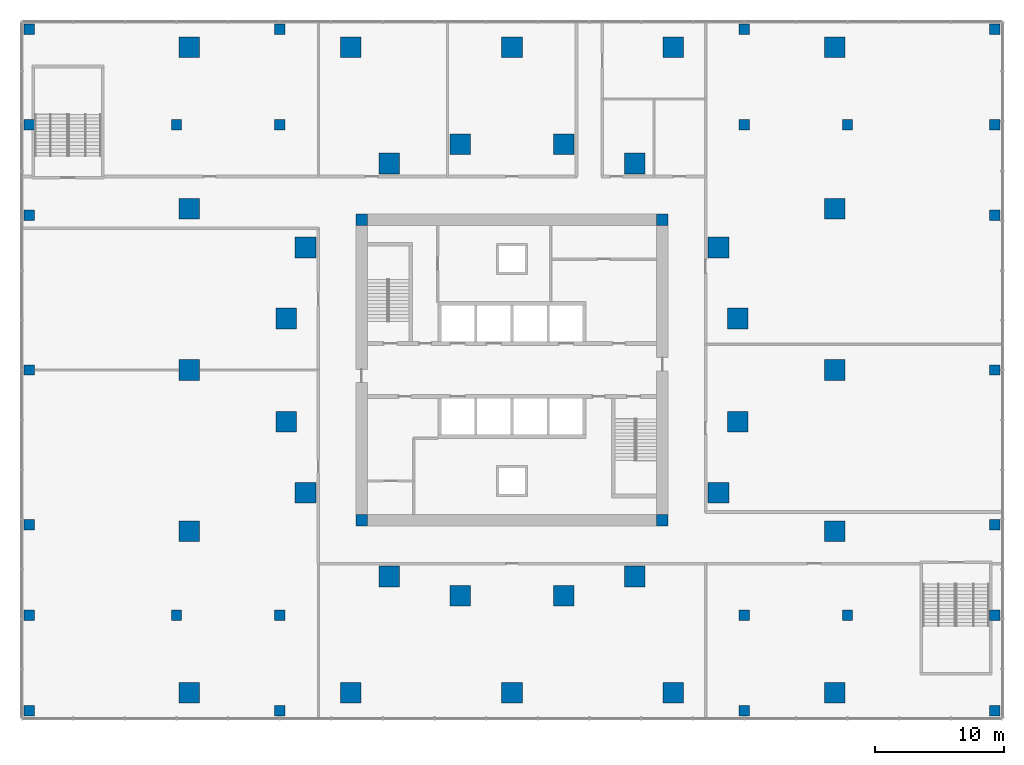
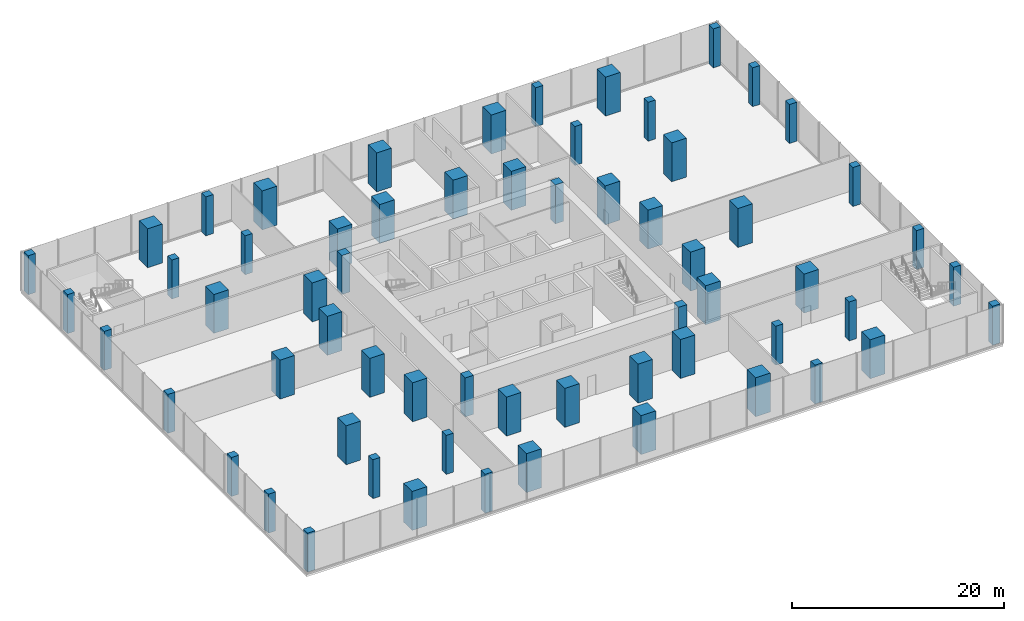
# One storey, part 1 of 15: 62 columns.
"""IFC4 building model written with IfcOpenShell, lengths in metres."""

from ifc_helpers import new_model, si_unit, direction, frame, origin, origin_2d, place, context, subcontext, project, spatial, rectangle, extrude, material, material_profile, profile_set, type_object, element, save


model = new_model("IFC4")

# Units and contexts
model_context = context("Model", 3, precision=1e-05, world=origin(), true_north=direction((0.0, 1.0)))
body_context = subcontext(model_context, "Body", "Model", "MODEL_VIEW")
ifc_project = project(units=[si_unit("LENGTHUNIT", "METRE"), si_unit("AREAUNIT", "SQUARE_METRE"), si_unit("VOLUMEUNIT", "CUBIC_METRE"), si_unit("PLANEANGLEUNIT", "RADIAN"), si_unit("MASSUNIT", "GRAM", prefix="KILO")], contexts=[model_context])

# Site, building, storey
site_placement = place(None, origin())
site = spatial("IfcSite", under=ifc_project, at=site_placement, CompositionType="ELEMENT")
building_placement = place(site_placement, origin())
building = spatial("IfcBuilding", under=site, at=building_placement, Name="Torsade Residences", CompositionType="ELEMENT")
storey_placement = place(building_placement, frame((0.0, 0.0, 6.0)))
storey = spatial("IfcBuildingStorey", under=building, at=storey_placement, Name="L01", CompositionType="ELEMENT", Elevation=6.0)

# Columns
ifc_material_1 = material(Name="Concrete 80 MPa", Category="concrete")
ifc_material_profile_1 = material_profile(ifc_material_1, rectangle(XDim=0.89990234375, YDim=0.89990234375, at=origin_2d()), Name="RC 900x900")
ifc_profile_set_1 = profile_set([ifc_material_profile_1], Name="Concrete 80 MPa")
column_type_1 = type_object("IfcColumnType", Name="CORE CORNER COLUMN RC 900x900", PredefinedType="COLUMN", material=ifc_profile_set_1)
for number, where, z_axis, x_axis, name in (
    (1, (28.35009765625, 18.35009765625, 0.0), (0.0, 0.0, 1.0), (1.0, 0.0, 0.0), "Core corner column CC1 L01"),
    (2, (51.64990234375, 18.35009765625, 0.0), (0.0, 0.0, 1.0), (1.0, 0.0, 0.0), "Core corner column CC2 L01"),
    (3, (51.64990234375, 41.64990234375, 0.0), (0.0, 0.0, 1.0), (1.0, 0.0, 0.0), "Core corner column CC3 L01"),
    (4, (28.35009765625, 41.64990234375, 0.0), (0.0, 0.0, 1.0), (1.0, 0.0, 0.0), "Core corner column CC4 L01"),
):
    element("IfcColumn", number, at=place(storey_placement, frame(where, z_axis=z_axis, x_axis=x_axis)), inside=storey, type_object=column_type_1, Name=name, PredefinedType="COLUMN", context=body_context, shape_type="SweptSolid", body=[
        extrude(rectangle(XDim=0.89990234375, YDim=0.89990234375, at=origin_2d()), origin(), (0.0, 0.0, 1.0), 4.5),
    ])
ifc_material_2 = material(Name="Concrete 80 MPa", Category="concrete")
ifc_material_profile_2 = material_profile(ifc_material_2, rectangle(XDim=1.60009765625, YDim=1.60009765625, at=origin_2d()), Name="RC 1600x1600")
ifc_profile_set_2 = profile_set([ifc_material_profile_2], Name="Concrete 80 MPa")
column_type_2 = type_object("IfcColumnType", Name="INNER RING COLUMN RC 1600x1600", PredefinedType="COLUMN", material=ifc_profile_set_2)
for number, where, z_axis, x_axis, name in (
    (5, (57.5, 26.0, 0.0), (0.0, 0.0, 1.0), (1.0, 0.0, 0.0), "Inner ring column IR01 L01"),
    (6, (57.5, 34.0, 0.0), (0.0, 0.0, 1.0), (1.0, 0.0, 0.0), "Inner ring column IR02 L01"),
    (7, (56.0, 39.5, 0.0), (0.0, 0.0, 1.0), (1.0, 0.0, 0.0), "Inner ring column IR03 L01"),
    (8, (49.5, 46.0, 0.0), (0.0, 0.0, 1.0), (1.0, 0.0, 0.0), "Inner ring column IR04 L01"),
    (9, (44.0, 47.5, 0.0), (0.0, 0.0, 1.0), (1.0, 0.0, 0.0), "Inner ring column IR05 L01"),
    (10, (36.0, 47.5, 0.0), (0.0, 0.0, 1.0), (1.0, 0.0, 0.0), "Inner ring column IR06 L01"),
    (11, (30.5, 46.0, 0.0), (0.0, 0.0, 1.0), (1.0, 0.0, 0.0), "Inner ring column IR07 L01"),
    (12, (24.0, 39.5, 0.0), (0.0, 0.0, 1.0), (1.0, 0.0, 0.0), "Inner ring column IR08 L01"),
    (13, (22.5, 34.0, 0.0), (0.0, 0.0, 1.0), (1.0, 0.0, 0.0), "Inner ring column IR09 L01"),
    (14, (22.5, 26.0, 0.0), (0.0, 0.0, 1.0), (1.0, 0.0, 0.0), "Inner ring column IR10 L01"),
    (15, (24.0, 20.5, 0.0), (0.0, 0.0, 1.0), (1.0, 0.0, 0.0), "Inner ring column IR11 L01"),
    (16, (30.5, 14.0, 0.0), (0.0, 0.0, 1.0), (1.0, 0.0, 0.0), "Inner ring column IR12 L01"),
    (17, (36.0, 12.5, 0.0), (0.0, 0.0, 1.0), (1.0, 0.0, 0.0), "Inner ring column IR13 L01"),
    (18, (44.0, 12.5, 0.0), (0.0, 0.0, 1.0), (1.0, 0.0, 0.0), "Inner ring column IR14 L01"),
    (19, (49.5, 14.0, 0.0), (0.0, 0.0, 1.0), (1.0, 0.0, 0.0), "Inner ring column IR15 L01"),
    (20, (56.0, 20.5, 0.0), (0.0, 0.0, 1.0), (1.0, 0.0, 0.0), "Inner ring column IR16 L01"),
):
    element("IfcColumn", number, at=place(storey_placement, frame(where, z_axis=z_axis, x_axis=x_axis)), inside=storey, type_object=column_type_2, Name=name, PredefinedType="COLUMN", context=body_context, shape_type="SweptSolid", body=[
        extrude(rectangle(XDim=1.60009765625, YDim=1.60009765625, at=origin_2d()), origin(), (0.0, 0.0, 1.0), 4.5),
    ])
ifc_material_3 = material(Name="Concrete 40 MPa", Category="concrete")
ifc_material_profile_3 = material_profile(ifc_material_3, rectangle(XDim=0.800048828125, YDim=0.800048828125, at=origin_2d()), Name="RC 800x800")
ifc_profile_set_3 = profile_set([ifc_material_profile_3], Name="Concrete 40 MPa")
column_type_3 = type_object("IfcColumnType", Name="PODIUM COLUMN RC 800x800", PredefinedType="COLUMN", material=ifc_profile_set_3)
for number, where, z_axis, x_axis, name in (
    (21, (2.60009765625, 3.60009765625, 0.0), (0.0, 0.0, 1.0), (1.0, 0.0, 0.0), "Column 1A L01"),
    (22, (2.60009765625, 11.0, 0.0), (0.0, 0.0, 1.0), (1.0, 0.0, 0.0), "Column 1B L01"),
    (23, (2.60009765625, 18.0, 0.0), (0.0, 0.0, 1.0), (1.0, 0.0, 0.0), "Column 1C L01"),
    (24, (2.60009765625, 30.0, 0.0), (0.0, 0.0, 1.0), (1.0, 0.0, 0.0), "Column 1D L01"),
    (25, (2.60009765625, 42.0, 0.0), (0.0, 0.0, 1.0), (1.0, 0.0, 0.0), "Column 1E L01"),
    (26, (2.60009765625, 49.0, 0.0), (0.0, 0.0, 1.0), (1.0, 0.0, 0.0), "Column 1F L01"),
    (27, (2.60009765625, 56.39990234375, 0.0), (0.0, 0.0, 1.0), (1.0, 0.0, 0.0), "Column 1G L01"),
    (28, (14.0, 11.0, 0.0), (0.0, 0.0, 1.0), (1.0, 0.0, 0.0), "Column 2B L01"),
    (29, (14.0, 49.0, 0.0), (0.0, 0.0, 1.0), (1.0, 0.0, 0.0), "Column 2F L01"),
    (30, (22.0, 3.60009765625, 0.0), (0.0, 0.0, 1.0), (1.0, 0.0, 0.0), "Column 3A L01"),
    (31, (22.0, 11.0, 0.0), (0.0, 0.0, 1.0), (1.0, 0.0, 0.0), "Column 3B L01"),
    (32, (22.0, 49.0, 0.0), (0.0, 0.0, 1.0), (1.0, 0.0, 0.0), "Column 3F L01"),
    (33, (22.0, 56.39990234375, 0.0), (0.0, 0.0, 1.0), (1.0, 0.0, 0.0), "Column 3G L01"),
    (34, (58.0, 3.60009765625, 0.0), (0.0, 0.0, 1.0), (1.0, 0.0, 0.0), "Column 7A L01"),
    (35, (58.0, 11.0, 0.0), (0.0, 0.0, 1.0), (1.0, 0.0, 0.0), "Column 7B L01"),
    (36, (58.0, 49.0, 0.0), (0.0, 0.0, 1.0), (1.0, 0.0, 0.0), "Column 7F L01"),
    (37, (58.0, 56.39990234375, 0.0), (0.0, 0.0, 1.0), (1.0, 0.0, 0.0), "Column 7G L01"),
    (38, (66.0, 11.0, 0.0), (0.0, 0.0, 1.0), (1.0, 0.0, 0.0), "Column 8B L01"),
    (39, (66.0, 49.0, 0.0), (0.0, 0.0, 1.0), (1.0, 0.0, 0.0), "Column 8F L01"),
    (40, (77.39990234375, 3.60009765625, 0.0), (0.0, 0.0, 1.0), (1.0, 0.0, 0.0), "Column 9A L01"),
    (41, (77.39990234375, 11.0, 0.0), (0.0, 0.0, 1.0), (1.0, 0.0, 0.0), "Column 9B L01"),
    (42, (77.39990234375, 18.0, 0.0), (0.0, 0.0, 1.0), (1.0, 0.0, 0.0), "Column 9C L01"),
    (43, (77.39990234375, 30.0, 0.0), (0.0, 0.0, 1.0), (1.0, 0.0, 0.0), "Column 9D L01"),
    (44, (77.39990234375, 42.0, 0.0), (0.0, 0.0, 1.0), (1.0, 0.0, 0.0), "Column 9E L01"),
    (45, (77.39990234375, 49.0, 0.0), (0.0, 0.0, 1.0), (1.0, 0.0, 0.0), "Column 9F L01"),
    (46, (77.39990234375, 56.39990234375, 0.0), (0.0, 0.0, 1.0), (1.0, 0.0, 0.0), "Column 9G L01"),
):
    element("IfcColumn", number, at=place(storey_placement, frame(where, z_axis=z_axis, x_axis=x_axis)), inside=storey, type_object=column_type_3, Name=name, PredefinedType="COLUMN", context=body_context, shape_type="SweptSolid", body=[
        extrude(rectangle(XDim=0.800048828125, YDim=0.800048828125, at=origin_2d()), origin(), (0.0, 0.0, 1.0), 4.5),
    ])
ifc_material_4 = material(Name="Concrete 80 MPa", Category="concrete")
ifc_material_profile_4 = material_profile(ifc_material_4, rectangle(XDim=1.60009765625, YDim=1.60009765625, at=origin_2d()), Name="RC 1600x1600")
ifc_profile_set_4 = profile_set([ifc_material_profile_4], Name="Concrete 80 MPa")
column_type_4 = type_object("IfcColumnType", Name="TOWER COLUMN RC 1600x1600", PredefinedType="COLUMN", material=ifc_profile_set_4)
for number, where, z_axis, x_axis, name in (
    (47, (15.0, 5.0, 0.0), (0.0, 0.0, 1.0), (1.0, 0.0, 0.0), "Column TC1-01 L01"),
    (48, (27.5, 5.0, 0.0), (0.0, 0.0, 1.0), (1.0, 0.0, 0.0), "Column TC1-02 L01"),
    (49, (40.0, 5.0, 0.0), (0.0, 0.0, 1.0), (1.0, 0.0, 0.0), "Column TC1-03 L01"),
    (50, (52.5, 5.0, 0.0), (0.0, 0.0, 1.0), (1.0, 0.0, 0.0), "Column TC1-04 L01"),
    (51, (65.0, 5.0, 0.0), (0.0, 0.0, 1.0), (1.0, 0.0, 0.0), "Column TC1-05 L01"),
    (52, (65.0, 17.5, 0.0), (0.0, 0.0, 1.0), (1.0, 0.0, 0.0), "Column TC1-06 L01"),
    (53, (65.0, 30.0, 0.0), (0.0, 0.0, 1.0), (1.0, 0.0, 0.0), "Column TC1-07 L01"),
    (54, (65.0, 42.5, 0.0), (0.0, 0.0, 1.0), (1.0, 0.0, 0.0), "Column TC1-08 L01"),
    (55, (65.0, 55.0, 0.0), (0.0, 0.0, 1.0), (1.0, 0.0, 0.0), "Column TC1-09 L01"),
    (56, (52.5, 55.0, 0.0), (0.0, 0.0, 1.0), (1.0, 0.0, 0.0), "Column TC1-10 L01"),
    (57, (40.0, 55.0, 0.0), (0.0, 0.0, 1.0), (1.0, 0.0, 0.0), "Column TC1-11 L01"),
    (58, (27.5, 55.0, 0.0), (0.0, 0.0, 1.0), (1.0, 0.0, 0.0), "Column TC1-12 L01"),
    (59, (15.0, 55.0, 0.0), (0.0, 0.0, 1.0), (1.0, 0.0, 0.0), "Column TC1-13 L01"),
    (60, (15.0, 42.5, 0.0), (0.0, 0.0, 1.0), (1.0, 0.0, 0.0), "Column TC1-14 L01"),
    (61, (15.0, 30.0, 0.0), (0.0, 0.0, 1.0), (1.0, 0.0, 0.0), "Column TC1-15 L01"),
    (62, (15.0, 17.5, 0.0), (0.0, 0.0, 1.0), (1.0, 0.0, 0.0), "Column TC1-16 L01"),
):
    element("IfcColumn", number, at=place(storey_placement, frame(where, z_axis=z_axis, x_axis=x_axis)), inside=storey, type_object=column_type_4, Name=name, PredefinedType="COLUMN", context=body_context, shape_type="SweptSolid", body=[
        extrude(rectangle(XDim=1.60009765625, YDim=1.60009765625, at=origin_2d()), origin(), (0.0, 0.0, 1.0), 4.5),
    ])

save(model, "model.ifc")
